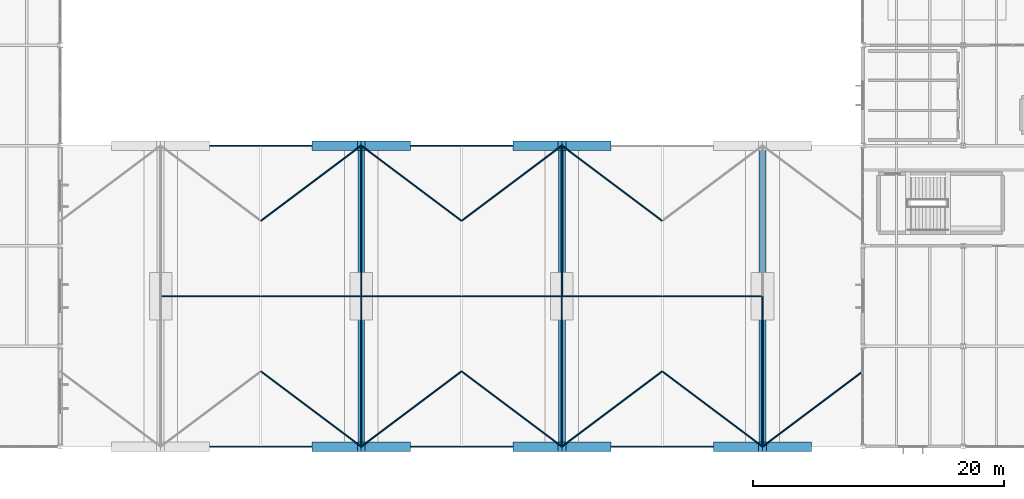
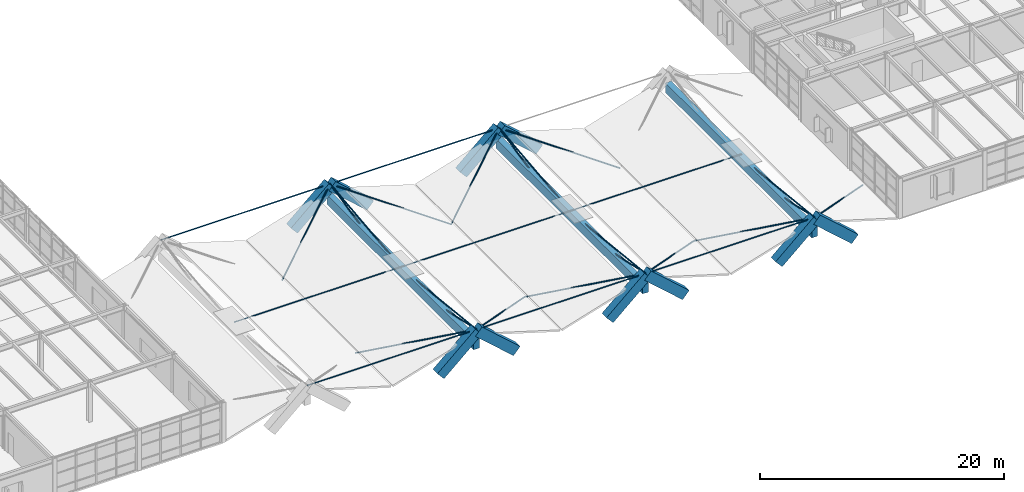
# One storey, part 22 of 50: 38 members, 3 beams.
"""IFC4 building model written with IfcOpenShell, lengths in metres."""

from ifc_helpers import new_model, si_unit, direction, frame, origin, origin_2d, place, context, subcontext, project, spatial, rectangle, hollow_circle, extrude, material, material_profile, profile_set, type_object, element, save


model = new_model("IFC4")

# Units and contexts
model_context = context("Model", 3, precision=1e-05, world=origin(), true_north=direction((0.0, 1.0)))
body_context = subcontext(model_context, "Body", "Model", "MODEL_VIEW")
ifc_project = project(units=[si_unit("LENGTHUNIT", "METRE"), si_unit("AREAUNIT", "SQUARE_METRE"), si_unit("VOLUMEUNIT", "CUBIC_METRE"), si_unit("PLANEANGLEUNIT", "RADIAN"), si_unit("MASSUNIT", "GRAM", prefix="KILO")], contexts=[model_context])

# Site, building, storey
site_placement = place(None, origin())
site = spatial("IfcSite", under=ifc_project, at=site_placement, CompositionType="ELEMENT")
building_placement = place(site_placement, origin())
building = spatial("IfcBuilding", under=site, at=building_placement, Name="Varnela Railside Interchange", CompositionType="ELEMENT")
storey_placement = place(building_placement, frame((0.0, 0.0, 15.39990234375)))
storey = spatial("IfcBuildingStorey", under=building, at=storey_placement, Name="L03", CompositionType="ELEMENT", Elevation=15.39990234375)

# Beams
ifc_material_1 = material(Name="Concrete C40", Category="concrete")
ifc_material_profile_1 = material_profile(ifc_material_1, rectangle(XDim=0.550048828125, YDim=0.949951171875, at=origin_2d()), Name="RC 550x950")
ifc_profile_set_1 = profile_set([ifc_material_profile_1], Name="Concrete C40")
beam_type = type_object("IfcBeamType", Name="Canopy Ridge Girder B-04", PredefinedType="BEAM", material=ifc_profile_set_1)
for number, where, z_axis, x_axis, name in (
    (1, (76.0, 38.0, 1.320068359375), (0.0, 1.0, 0.0), (-1.0, 0.0, 0.0), "Canopy Ridge Girder B-04 (L03) (BM-2343)"),
    (2, (92.0, 38.0, 1.320068359375), (0.0, 1.0, 0.0), (-1.0, 0.0, 0.0), "Canopy Ridge Girder B-04 (L03) (BM-2344)"),
    (3, (108.0, 38.0, 1.320068359375), (0.0, 1.0, 0.0), (-1.0, 0.0, 0.0), "Canopy Ridge Girder B-04 (L03) (BM-2345)"),
):
    element("IfcBeam", number, at=place(storey_placement, frame(where, z_axis=z_axis, x_axis=x_axis)), inside=storey, type_object=beam_type, Name=name, PredefinedType="BEAM", context=body_context, shape_type="SweptSolid", body=[
        extrude(rectangle(XDim=0.550048828125, YDim=0.949951171875, at=origin_2d()), origin(), (0.0, 0.0, 1.0), 24.0),
    ])

# Members
ifc_material_2 = material(Name="Steel AR 350 (350 MPa)", Category="steel")
ifc_material_profile_2 = material_profile(ifc_material_2, hollow_circle(Radius=0.06982421875, WallThickness=0.012451171875, at=origin_2d()), Name="CHS 139.7x12.5")
ifc_profile_set_2 = profile_set([ifc_material_profile_2], Name="Steel AR 350 (350 MPa)")
member_type_1 = type_object("IfcMemberType", Name="Concourse Roof Cable CB-01", PredefinedType="CHORD", material=ifc_profile_set_2)
member_1_placement = place(storey_placement, frame((76.0, 38.0, 2.800048828125), z_axis=(0.0, 0.994182662369, -0.107707167096), x_axis=(-1.0, 0.0, 0.0)))
element("IfcMember", 4, at=member_1_placement, inside=storey, type_object=member_type_1, Name="Concourse Roof Cable CB-01 (L03) (MB-0111)", PredefinedType="CHORD", context=body_context, shape_type="SweptSolid", body=[
    extrude(hollow_circle(Radius=0.06982421875, WallThickness=0.012451171875, at=origin_2d()), origin(), (0.0, 0.0, 1.0), 12.0703125),
])
for number, where, z_axis, x_axis, name in (
    (5, (76.0, 38.0, 2.800048828125), (-0.761940397697, 0.571455298273, -0.304771508564), (-0.6, -0.8, 0.0), "Concourse Roof Cable CB-01 (L03) (MB-0112)"),
    (6, (76.0, 38.0, 2.800048828125), (0.761940397697, 0.571455298273, -0.304771508564), (-0.6, 0.8, 0.0), "Concourse Roof Cable CB-01 (L03) (MB-0113)"),
):
    element("IfcMember", number, at=place(storey_placement, frame(where, z_axis=z_axis, x_axis=x_axis)), inside=storey, type_object=member_type_1, Name=name, PredefinedType="CHORD", context=body_context, shape_type="SweptSolid", body=[
        extrude(hollow_circle(Radius=0.06982421875, WallThickness=0.012451171875, at=origin_2d()), origin(), (0.0, 0.0, 1.0), 10.49951171875),
    ])
member_2_placement = place(storey_placement, frame((76.0, 38.0, 2.800048828125), z_axis=(0.0, 0.977321494017, -0.211760943833), x_axis=(-1.0, 0.0, 0.0)))
element("IfcMember", 7, at=member_2_placement, inside=storey, type_object=member_type_1, Name="Concourse Roof Cable CB-01 (L03) (MB-0114)", PredefinedType="CHORD", context=body_context, shape_type="SweptSolid", body=[
    extrude(hollow_circle(Radius=0.06982421875, WallThickness=0.012451171875, at=origin_2d()), origin(), (0.0, 0.0, 1.0), 6.13916015625),
])
member_3_placement = place(storey_placement, frame((76.0, 62.0, 2.800048828125), z_axis=(0.0, -0.994182662369, -0.107707167096), x_axis=(1.0, 0.0, 0.0)))
element("IfcMember", 8, at=member_3_placement, inside=storey, type_object=member_type_1, Name="Concourse Roof Cable CB-01 (L03) (MB-0107)", PredefinedType="CHORD", context=body_context, shape_type="SweptSolid", body=[
    extrude(hollow_circle(Radius=0.06982421875, WallThickness=0.012451171875, at=origin_2d()), origin(), (0.0, 0.0, 1.0), 12.0703125),
])
for number, where, z_axis, x_axis, name in (
    (9, (76.0, 62.0, 2.800048828125), (-0.761940397697, -0.571455298273, -0.304771508564), (0.6, -0.8, 0.0), "Concourse Roof Cable CB-01 (L03) (MB-0108)"),
    (10, (76.0, 62.0, 2.800048828125), (0.761940397697, -0.571455298273, -0.304771508564), (0.6, 0.8, 0.0), "Concourse Roof Cable CB-01 (L03) (MB-0109)"),
):
    element("IfcMember", number, at=place(storey_placement, frame(where, z_axis=z_axis, x_axis=x_axis)), inside=storey, type_object=member_type_1, Name=name, PredefinedType="CHORD", context=body_context, shape_type="SweptSolid", body=[
        extrude(hollow_circle(Radius=0.06982421875, WallThickness=0.012451171875, at=origin_2d()), origin(), (0.0, 0.0, 1.0), 10.49951171875),
    ])
member_4_placement = place(storey_placement, frame((76.0, 62.0, 2.800048828125), z_axis=(0.0, -0.977321494017, -0.211760943833), x_axis=(1.0, 0.0, 0.0)))
element("IfcMember", 11, at=member_4_placement, inside=storey, type_object=member_type_1, Name="Concourse Roof Cable CB-01 (L03) (MB-0110)", PredefinedType="CHORD", context=body_context, shape_type="SweptSolid", body=[
    extrude(hollow_circle(Radius=0.06982421875, WallThickness=0.012451171875, at=origin_2d()), origin(), (0.0, 0.0, 1.0), 6.13916015625),
])
member_5_placement = place(storey_placement, frame((92.0, 38.0, 2.800048828125), z_axis=(0.0, 0.994182662369, -0.107707167096), x_axis=(-1.0, 0.0, 0.0)))
element("IfcMember", 12, at=member_5_placement, inside=storey, type_object=member_type_1, Name="Concourse Roof Cable CB-01 (L03) (MB-0119)", PredefinedType="CHORD", context=body_context, shape_type="SweptSolid", body=[
    extrude(hollow_circle(Radius=0.06982421875, WallThickness=0.012451171875, at=origin_2d()), origin(), (0.0, 0.0, 1.0), 12.0703125),
])
for number, where, z_axis, x_axis, name in (
    (13, (92.0, 38.0, 2.800048828125), (-0.761940397697, 0.571455298273, -0.304771508564), (-0.6, -0.8, 0.0), "Concourse Roof Cable CB-01 (L03) (MB-0120)"),
    (14, (92.0, 38.0, 2.800048828125), (0.761940397697, 0.571455298273, -0.304771508564), (-0.6, 0.8, 0.0), "Concourse Roof Cable CB-01 (L03) (MB-0121)"),
):
    element("IfcMember", number, at=place(storey_placement, frame(where, z_axis=z_axis, x_axis=x_axis)), inside=storey, type_object=member_type_1, Name=name, PredefinedType="CHORD", context=body_context, shape_type="SweptSolid", body=[
        extrude(hollow_circle(Radius=0.06982421875, WallThickness=0.012451171875, at=origin_2d()), origin(), (0.0, 0.0, 1.0), 10.49951171875),
    ])
member_6_placement = place(storey_placement, frame((92.0, 38.0, 2.800048828125), z_axis=(0.0, 0.977321494017, -0.211760943833), x_axis=(-1.0, 0.0, 0.0)))
element("IfcMember", 15, at=member_6_placement, inside=storey, type_object=member_type_1, Name="Concourse Roof Cable CB-01 (L03) (MB-0122)", PredefinedType="CHORD", context=body_context, shape_type="SweptSolid", body=[
    extrude(hollow_circle(Radius=0.06982421875, WallThickness=0.012451171875, at=origin_2d()), origin(), (0.0, 0.0, 1.0), 6.13916015625),
])
member_7_placement = place(storey_placement, frame((92.0, 62.0, 2.800048828125), z_axis=(0.0, -0.994182662369, -0.107707167096), x_axis=(1.0, 0.0, 0.0)))
element("IfcMember", 16, at=member_7_placement, inside=storey, type_object=member_type_1, Name="Concourse Roof Cable CB-01 (L03) (MB-0115)", PredefinedType="CHORD", context=body_context, shape_type="SweptSolid", body=[
    extrude(hollow_circle(Radius=0.06982421875, WallThickness=0.012451171875, at=origin_2d()), origin(), (0.0, 0.0, 1.0), 12.0703125),
])
for number, where, z_axis, x_axis, name in (
    (17, (92.0, 62.0, 2.800048828125), (-0.761940397697, -0.571455298273, -0.304771508564), (0.6, -0.8, 0.0), "Concourse Roof Cable CB-01 (L03) (MB-0116)"),
    (18, (92.0, 62.0, 2.800048828125), (0.761940397697, -0.571455298273, -0.304771508564), (0.6, 0.8, 0.0), "Concourse Roof Cable CB-01 (L03) (MB-0117)"),
):
    element("IfcMember", number, at=place(storey_placement, frame(where, z_axis=z_axis, x_axis=x_axis)), inside=storey, type_object=member_type_1, Name=name, PredefinedType="CHORD", context=body_context, shape_type="SweptSolid", body=[
        extrude(hollow_circle(Radius=0.06982421875, WallThickness=0.012451171875, at=origin_2d()), origin(), (0.0, 0.0, 1.0), 10.49951171875),
    ])
member_8_placement = place(storey_placement, frame((92.0, 62.0, 2.800048828125), z_axis=(0.0, -0.977321494017, -0.211760943833), x_axis=(1.0, 0.0, 0.0)))
element("IfcMember", 19, at=member_8_placement, inside=storey, type_object=member_type_1, Name="Concourse Roof Cable CB-01 (L03) (MB-0118)", PredefinedType="CHORD", context=body_context, shape_type="SweptSolid", body=[
    extrude(hollow_circle(Radius=0.06982421875, WallThickness=0.012451171875, at=origin_2d()), origin(), (0.0, 0.0, 1.0), 6.13916015625),
])
member_9_placement = place(storey_placement, frame((108.0, 38.0, 2.800048828125), z_axis=(0.0, 0.994182662369, -0.107707167096), x_axis=(-1.0, 0.0, 0.0)))
element("IfcMember", 20, at=member_9_placement, inside=storey, type_object=member_type_1, Name="Concourse Roof Cable CB-01 (L03) (MB-0127)", PredefinedType="CHORD", context=body_context, shape_type="SweptSolid", body=[
    extrude(hollow_circle(Radius=0.06982421875, WallThickness=0.012451171875, at=origin_2d()), origin(), (0.0, 0.0, 1.0), 12.0703125),
])
for number, where, z_axis, x_axis, name in (
    (21, (108.0, 38.0, 2.800048828125), (-0.761940397697, 0.571455298273, -0.304771508564), (-0.6, -0.8, 0.0), "Concourse Roof Cable CB-01 (L03) (MB-0128)"),
    (22, (108.0, 38.0, 2.800048828125), (0.761940397697, 0.571455298273, -0.304771508564), (-0.6, 0.8, 0.0), "Concourse Roof Cable CB-01 (L03) (MB-0129)"),
):
    element("IfcMember", number, at=place(storey_placement, frame(where, z_axis=z_axis, x_axis=x_axis)), inside=storey, type_object=member_type_1, Name=name, PredefinedType="CHORD", context=body_context, shape_type="SweptSolid", body=[
        extrude(hollow_circle(Radius=0.06982421875, WallThickness=0.012451171875, at=origin_2d()), origin(), (0.0, 0.0, 1.0), 10.49951171875),
    ])
member_10_placement = place(storey_placement, frame((108.0, 38.0, 2.800048828125), z_axis=(0.0, 0.977321494017, -0.211760943833), x_axis=(-1.0, 0.0, 0.0)))
element("IfcMember", 23, at=member_10_placement, inside=storey, type_object=member_type_1, Name="Concourse Roof Cable CB-01 (L03) (MB-0130)", PredefinedType="CHORD", context=body_context, shape_type="SweptSolid", body=[
    extrude(hollow_circle(Radius=0.06982421875, WallThickness=0.012451171875, at=origin_2d()), origin(), (0.0, 0.0, 1.0), 6.13916015625),
])
ifc_material_profile_3 = material_profile(ifc_material_2, hollow_circle(Radius=0.05712890625, WallThickness=0.010009765625, at=origin_2d()), Name="CHS 114.3x10")
ifc_profile_set_3 = profile_set([ifc_material_profile_3], Name="Steel AR 350 (350 MPa)")
member_type_2 = type_object("IfcMemberType", Name="Concourse Roof Tie Cable CB-02", PredefinedType="STRUT", material=ifc_profile_set_3)
for number, where, z_axis, x_axis, name in (
    (24, (60.0, 38.0, 2.800048828125), (1.0, 0.0, 0.0), (0.0, 1.0, 0.0), "Concourse Roof Tie Cable CB-02 (L03) (MB-0131)"),
    (25, (60.0, 50.0, 1.85009765625), (1.0, 0.0, 0.0), (0.0, 1.0, 0.0), "Concourse Roof Tie Cable CB-02 (L03) (MB-0132)"),
    (26, (60.0, 62.0, 2.800048828125), (1.0, 0.0, 0.0), (0.0, 1.0, 0.0), "Concourse Roof Tie Cable CB-02 (L03) (MB-0133)"),
    (27, (76.0, 38.0, 2.800048828125), (1.0, 0.0, 0.0), (0.0, 1.0, 0.0), "Concourse Roof Tie Cable CB-02 (L03) (MB-0134)"),
    (28, (76.0, 50.0, 1.85009765625), (1.0, 0.0, 0.0), (0.0, 1.0, 0.0), "Concourse Roof Tie Cable CB-02 (L03) (MB-0135)"),
    (29, (76.0, 62.0, 2.800048828125), (1.0, 0.0, 0.0), (0.0, 1.0, 0.0), "Concourse Roof Tie Cable CB-02 (L03) (MB-0136)"),
    (30, (92.0, 38.0, 2.800048828125), (1.0, 0.0, 0.0), (0.0, 1.0, 0.0), "Concourse Roof Tie Cable CB-02 (L03) (MB-0137)"),
    (31, (92.0, 50.0, 1.85009765625), (1.0, 0.0, 0.0), (0.0, 1.0, 0.0), "Concourse Roof Tie Cable CB-02 (L03) (MB-0138)"),
):
    element("IfcMember", number, at=place(storey_placement, frame(where, z_axis=z_axis, x_axis=x_axis)), inside=storey, type_object=member_type_2, Name=name, PredefinedType="STRUT", context=body_context, shape_type="SweptSolid", body=[
        extrude(hollow_circle(Radius=0.05712890625, WallThickness=0.010009765625, at=origin_2d()), origin(), (0.0, 0.0, 1.0), 16.0),
    ])
ifc_material_3 = material(Name="Concrete C50", Category="concrete")
ifc_material_profile_4 = material_profile(ifc_material_3, rectangle(XDim=0.75, YDim=0.949951171875, at=origin_2d()), Name="RC 750x950")
ifc_profile_set_4 = profile_set([ifc_material_profile_4], Name="Concrete C50")
member_type_3 = type_object("IfcMemberType", Name="Sculpted Concourse A-Frame Mast Strut MS-01", PredefinedType="STRUT", material=ifc_profile_set_4)
for number, where, z_axis, x_axis, name in (
    (32, (72.39990234375, 38.0, -0.39990234375), (0.747423301004, 0.0, 0.664348108386), (0.0, 1.0, 0.0), "Sculpted Concourse A-Frame Mast Strut MS-01 (L03) (MB-0152)"),
    (33, (79.60009765625, 38.0, -0.39990234375), (-0.747423301004, 0.0, 0.664348108386), (0.0, -1.0, 0.0), "Sculpted Concourse A-Frame Mast Strut MS-01 (L03) (MB-0153)"),
    (34, (72.39990234375, 62.0, -0.39990234375), (0.747423301004, 0.0, 0.664348108386), (0.0, 1.0, 0.0), "Sculpted Concourse A-Frame Mast Strut MS-01 (L03) (MB-0150)"),
    (35, (79.60009765625, 62.0, -0.39990234375), (-0.747423301004, 0.0, 0.664348108386), (0.0, -1.0, 0.0), "Sculpted Concourse A-Frame Mast Strut MS-01 (L03) (MB-0151)"),
    (36, (88.39990234375, 38.0, -0.39990234375), (0.747423301004, 0.0, 0.664348108386), (0.0, 1.0, 0.0), "Sculpted Concourse A-Frame Mast Strut MS-01 (L03) (MB-0156)"),
    (37, (95.60009765625, 38.0, -0.39990234375), (-0.747423301004, 0.0, 0.664348108386), (0.0, -1.0, 0.0), "Sculpted Concourse A-Frame Mast Strut MS-01 (L03) (MB-0157)"),
    (38, (88.39990234375, 62.0, -0.39990234375), (0.747423301004, 0.0, 0.664348108386), (0.0, 1.0, 0.0), "Sculpted Concourse A-Frame Mast Strut MS-01 (L03) (MB-0154)"),
    (39, (95.60009765625, 62.0, -0.39990234375), (-0.747423301004, 0.0, 0.664348108386), (0.0, -1.0, 0.0), "Sculpted Concourse A-Frame Mast Strut MS-01 (L03) (MB-0155)"),
    (40, (104.39990234375, 38.0, -0.39990234375), (0.747423301004, 0.0, 0.664348108386), (0.0, 1.0, 0.0), "Sculpted Concourse A-Frame Mast Strut MS-01 (L03) (MB-0160)"),
    (41, (111.60009765625, 38.0, -0.39990234375), (-0.747423301004, 0.0, 0.664348108386), (0.0, -1.0, 0.0), "Sculpted Concourse A-Frame Mast Strut MS-01 (L03) (MB-0161)"),
):
    element("IfcMember", number, at=place(storey_placement, frame(where, z_axis=z_axis, x_axis=x_axis)), inside=storey, type_object=member_type_3, Name=name, PredefinedType="STRUT", context=body_context, shape_type="SweptSolid", body=[
        extrude(rectangle(XDim=0.75, YDim=0.949951171875, at=origin_2d()), origin(), (0.0, 0.0, 1.0), 4.816650390625),
    ])

save(model, "model.ifc")
